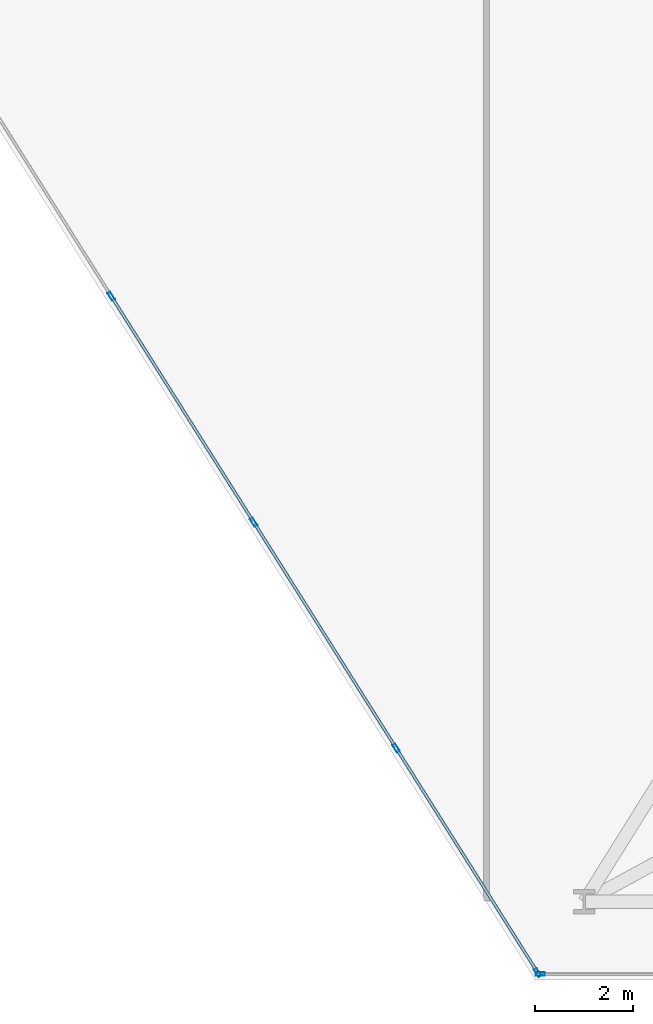
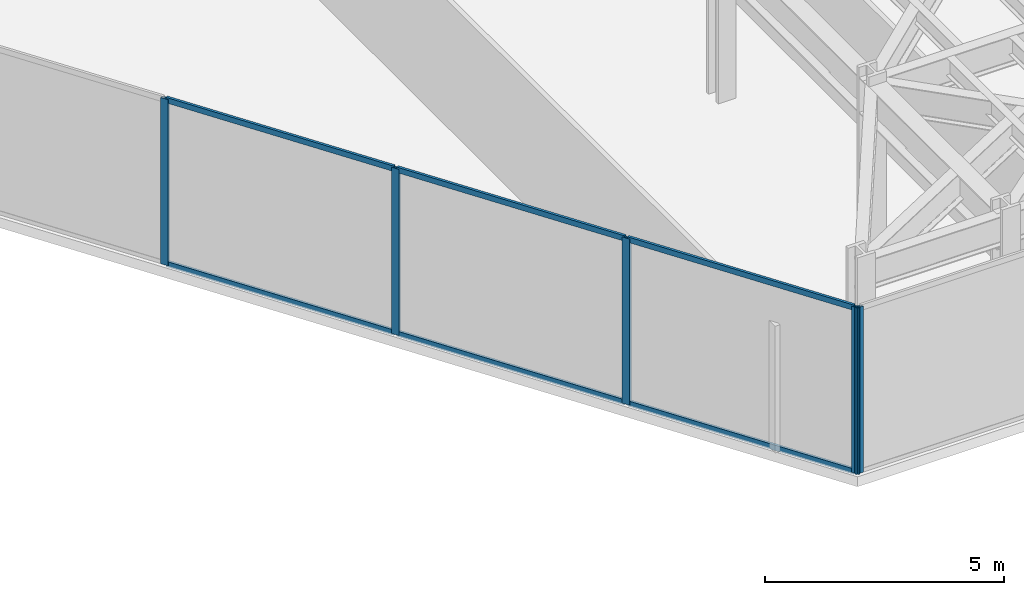
# One storey, part 12 of 28: 11 members, 2 elements without a shape of their own.
"""IFC4 building model written with IfcOpenShell, lengths in metres."""

from ifc_helpers import new_model, si_unit, direction, frame, origin, origin_2d, place, context, subcontext, project, spatial, hollow_rectangle, extrude, material, layer, layer_set, material_profile, profile_set, type_object, element, aggregate, save


model = new_model("IFC4")

# Units and contexts
model_context = context("Model", 3, precision=1e-05, world=origin(), true_north=direction((0.0, 1.0)))
body_context = subcontext(model_context, "Body", "Model", "MODEL_VIEW")
ifc_project = project(units=[si_unit("LENGTHUNIT", "METRE"), si_unit("AREAUNIT", "SQUARE_METRE"), si_unit("VOLUMEUNIT", "CUBIC_METRE"), si_unit("PLANEANGLEUNIT", "RADIAN"), si_unit("MASSUNIT", "GRAM", prefix="KILO")], contexts=[model_context])

# Site, building, storey
site_placement = place(None, origin())
site = spatial("IfcSite", under=ifc_project, at=site_placement, CompositionType="ELEMENT")
building_placement = place(site_placement, origin())
building = spatial("IfcBuilding", under=site, at=building_placement, Name="Kravanh Interchange Tower", CompositionType="ELEMENT")
storey_placement = place(building_placement, frame((0.0, 0.0, 91.5)))
storey = spatial("IfcBuildingStorey", under=building, at=storey_placement, Name="L21", CompositionType="ELEMENT", Elevation=91.5)

# Curtain wall, member
ifc_material_1 = material(Name="Anodised Bronze Aluminium", Category="aluminium")
ifc_layer = layer(ifc_material_1, 0.179931640625)
ifc_layer_set = layer_set([ifc_layer], Name="Unitised Curtain Wall System CW-SKY Sky Observatory")
curtain_wall_type = type_object("IfcCurtainWallType", Name="Unitised Curtain Wall System CW-SKY Sky Observatory", PredefinedType="NOTDEFINED", material=ifc_layer_set)
curtain_wall_1_placement = place(storey_placement, origin())
curtain_wall_1 = element("IfcCurtainWall", 1, at=curtain_wall_1_placement, inside=storey, type_object=curtain_wall_type, Name="L21 Unitised Curtain Wall CW-L21-04", PredefinedType="NOTDEFINED")
ifc_material_2 = material(Name="Anodised Bronze Aluminium", Category="aluminium")
ifc_material_profile_1 = material_profile(ifc_material_2, hollow_rectangle(XDim=0.070068359375, YDim=0.179931640625, WallThickness=0.00390625, at=origin_2d()), Name="ALU70X180X4")
ifc_profile_set_1 = profile_set([ifc_material_profile_1], Name="Anodised Bronze Aluminium")
member_type_1 = type_object("IfcMemberType", Name="Curtain Wall Mullion ALU70X180X4 Bronze", PredefinedType="MULLION", material=ifc_profile_set_1)
member_1_placement = place(storey_placement, frame((51.601318359375, 1.1201171875, 0.0), z_axis=(0.0, 0.0, 1.0), x_axis=(0.0, -1.0, 0.0)))
member_1 = element("IfcMember", 2, at=member_1_placement, type_object=member_type_1, Name="CW-SKY mullion 3", PredefinedType="MULLION", context=body_context, shape_type="SweptSolid", body=[
    extrude(hollow_rectangle(XDim=0.070068359375, YDim=0.179931640625, WallThickness=0.00390625, at=origin_2d()), origin(), (0.0, 0.0, 1.0), 4.25),
])
aggregate(curtain_wall_1, [member_1])

# Curtain wall, members
curtain_wall_2_placement = place(storey_placement, origin())
curtain_wall_2 = element("IfcCurtainWall", 3, at=curtain_wall_2_placement, inside=storey, type_object=curtain_wall_type, Name="L21 Unitised Curtain Wall CW-L21-05", PredefinedType="NOTDEFINED")
member_2_placement = place(storey_placement, frame((51.547607421875, 1.149658203125, 0.0), z_axis=(0.0, 0.0, 1.0), x_axis=(-0.845925530786, -0.53330103728, 0.0)))
member_2 = element("IfcMember", 4, at=member_2_placement, type_object=member_type_1, Name="CW-SKY mullion 1", PredefinedType="MULLION", context=body_context, shape_type="SweptSolid", body=[
    extrude(hollow_rectangle(XDim=0.070068359375, YDim=0.179931640625, WallThickness=0.00390625, at=origin_2d()), origin(), (0.0, 0.0, 1.0), 4.25),
])
member_3_placement = place(storey_placement, frame((48.653076171875, 5.740966796875, 0.0), z_axis=(0.0, 0.0, 1.0), x_axis=(-0.845925530786, -0.53330103728, 0.0)))
member_3 = element("IfcMember", 5, at=member_3_placement, type_object=member_type_1, Name="CW-SKY mullion 2", PredefinedType="MULLION", context=body_context, shape_type="SweptSolid", body=[
    extrude(hollow_rectangle(XDim=0.070068359375, YDim=0.179931640625, WallThickness=0.00390625, at=origin_2d()), origin(), (0.0, 0.0, 1.0), 4.25),
])
member_4_placement = place(storey_placement, frame((45.73974609375, 10.362060546875, 0.0), z_axis=(0.0, 0.0, 1.0), x_axis=(-0.845925530786, -0.53330103728, 0.0)))
member_4 = element("IfcMember", 6, at=member_4_placement, type_object=member_type_1, Name="CW-SKY mullion 3", PredefinedType="MULLION", context=body_context, shape_type="SweptSolid", body=[
    extrude(hollow_rectangle(XDim=0.070068359375, YDim=0.179931640625, WallThickness=0.00390625, at=origin_2d()), origin(), (0.0, 0.0, 1.0), 4.25),
])
member_5_placement = place(storey_placement, frame((42.826416015625, 14.98291015625, 0.0), z_axis=(0.0, 0.0, 1.0), x_axis=(-0.845925530786, -0.53330103728, 0.0)))
member_5 = element("IfcMember", 7, at=member_5_placement, type_object=member_type_1, Name="CW-SKY mullion 4", PredefinedType="MULLION", context=body_context, shape_type="SweptSolid", body=[
    extrude(hollow_rectangle(XDim=0.070068359375, YDim=0.179931640625, WallThickness=0.00390625, at=origin_2d()), origin(), (0.0, 0.0, 1.0), 4.25),
])
ifc_material_3 = material(Name="Anodised Bronze Aluminium", Category="aluminium")
ifc_material_profile_2 = material_profile(ifc_material_3, hollow_rectangle(XDim=0.06005859375, YDim=0.139892578125, WallThickness=0.00390625, at=origin_2d()), Name="ALU60X140X4")
ifc_profile_set_2 = profile_set([ifc_material_profile_2], Name="Anodised Bronze Aluminium")
member_type_2 = type_object("IfcMemberType", Name="Curtain Wall Transom ALU60X140X4 Bronze", PredefinedType="USERDEFINED", material=ifc_profile_set_2)
member_6_placement = place(storey_placement, frame((51.52880859375, 1.17919921875, 0.030029296875), z_axis=(-0.533288163518, 0.845933646719, 0.0), x_axis=(-0.845933646719, -0.533288163518, 0.0)))
member_6 = element("IfcMember", 8, at=member_6_placement, type_object=member_type_2, Name="CW-SKY transom 1.1", ObjectType="TRANSOM", PredefinedType="USERDEFINED", context=body_context, shape_type="SweptSolid", body=[
    extrude(hollow_rectangle(XDim=0.06005859375, YDim=0.139892578125, WallThickness=0.00390625, at=origin_2d()), origin(), (0.0, 0.0, 1.0), 5.357666015625),
])
member_7_placement = place(storey_placement, frame((51.52880859375, 1.17919921875, 4.219970703125), z_axis=(-0.533288163518, 0.845933646719, 0.0), x_axis=(-0.845933646719, -0.533288163518, 0.0)))
member_7 = element("IfcMember", 9, at=member_7_placement, type_object=member_type_2, Name="CW-SKY transom 1.2", ObjectType="TRANSOM", PredefinedType="USERDEFINED", context=body_context, shape_type="SweptSolid", body=[
    extrude(hollow_rectangle(XDim=0.06005859375, YDim=0.139892578125, WallThickness=0.00390625, at=origin_2d()), origin(), (0.0, 0.0, 1.0), 5.357666015625),
])
member_8_placement = place(storey_placement, frame((48.63427734375, 5.7705078125, 0.030029296875), z_axis=(-0.533311487456, 0.84591894254, 0.0), x_axis=(-0.84591894254, -0.533311487456, 0.0)))
member_8 = element("IfcMember", 10, at=member_8_placement, type_object=member_type_2, Name="CW-SKY transom 2.1", ObjectType="TRANSOM", PredefinedType="USERDEFINED", context=body_context, shape_type="SweptSolid", body=[
    extrude(hollow_rectangle(XDim=0.06005859375, YDim=0.139892578125, WallThickness=0.00390625, at=origin_2d()), origin(), (0.0, 0.0, 1.0), 5.392578125),
])
member_9_placement = place(storey_placement, frame((48.63427734375, 5.7705078125, 4.219970703125), z_axis=(-0.533311487456, 0.84591894254, 0.0), x_axis=(-0.84591894254, -0.533311487456, 0.0)))
member_9 = element("IfcMember", 11, at=member_9_placement, type_object=member_type_2, Name="CW-SKY transom 2.2", ObjectType="TRANSOM", PredefinedType="USERDEFINED", context=body_context, shape_type="SweptSolid", body=[
    extrude(hollow_rectangle(XDim=0.06005859375, YDim=0.139892578125, WallThickness=0.00390625, at=origin_2d()), origin(), (0.0, 0.0, 1.0), 5.392578125),
])
member_10_placement = place(storey_placement, frame((45.720947265625, 10.3916015625, 0.030029296875), z_axis=(-0.533279090152, 0.845939366626, 0.0), x_axis=(-0.845939366626, -0.533279090152, 0.0)))
member_10 = element("IfcMember", 12, at=member_10_placement, type_object=member_type_2, Name="CW-SKY transom 3.1", ObjectType="TRANSOM", PredefinedType="USERDEFINED", context=body_context, shape_type="SweptSolid", body=[
    extrude(hollow_rectangle(XDim=0.06005859375, YDim=0.139892578125, WallThickness=0.00390625, at=origin_2d()), origin(), (0.0, 0.0, 1.0), 5.392578125),
])
member_11_placement = place(storey_placement, frame((45.720947265625, 10.3916015625, 4.219970703125), z_axis=(-0.533279090152, 0.845939366626, 0.0), x_axis=(-0.845939366626, -0.533279090152, 0.0)))
member_11 = element("IfcMember", 13, at=member_11_placement, type_object=member_type_2, Name="CW-SKY transom 3.2", ObjectType="TRANSOM", PredefinedType="USERDEFINED", context=body_context, shape_type="SweptSolid", body=[
    extrude(hollow_rectangle(XDim=0.06005859375, YDim=0.139892578125, WallThickness=0.00390625, at=origin_2d()), origin(), (0.0, 0.0, 1.0), 5.392578125),
])
aggregate(curtain_wall_2, [member_2, member_3, member_4, member_5, member_6, member_7, member_8, member_9, member_10, member_11])

save(model, "model.ifc")
